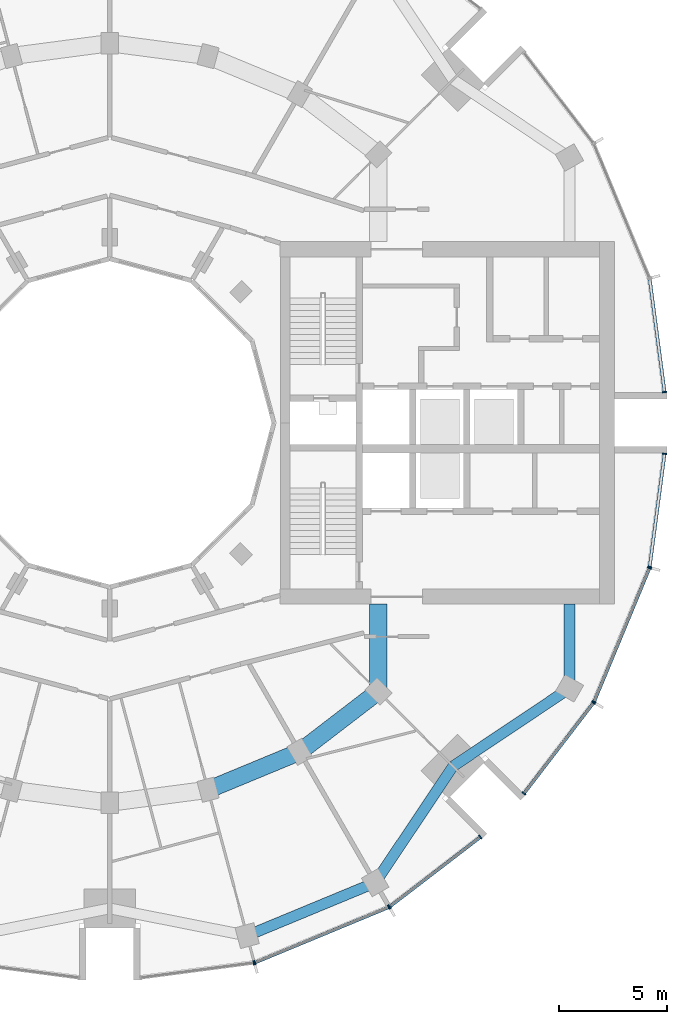
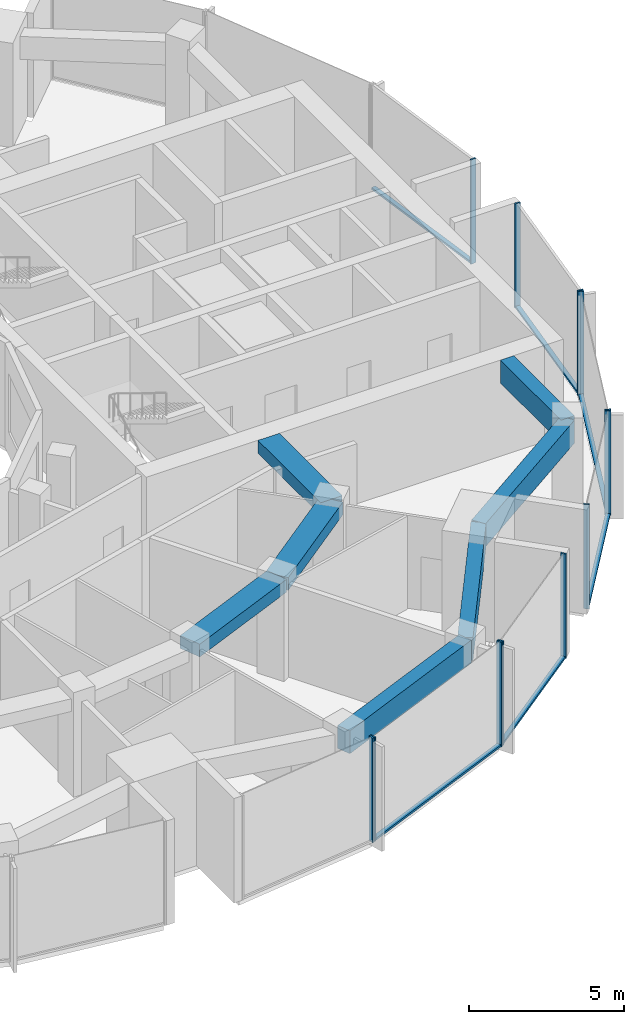
# One storey, part 4 of 15: 18 members, 7 beams, 7 elements without a shape of their own.
"""IFC4 building model written with IfcOpenShell, lengths in metres."""

from ifc_helpers import new_model, si_unit, direction, frame, origin, origin_2d, place, context, subcontext, project, spatial, rectangle, extrude, material, layer, layer_set, material_profile, profile_set, type_object, element, aggregate, save


model = new_model("IFC4")

# Units and contexts
model_context = context("Model", 3, precision=1e-05, world=origin(), true_north=direction((0.0, 1.0)))
body_context = subcontext(model_context, "Body", "Model", "MODEL_VIEW")
ifc_project = project(units=[si_unit("LENGTHUNIT", "METRE"), si_unit("AREAUNIT", "SQUARE_METRE"), si_unit("VOLUMEUNIT", "CUBIC_METRE"), si_unit("PLANEANGLEUNIT", "RADIAN"), si_unit("MASSUNIT", "GRAM", prefix="KILO")], contexts=[model_context])

# Site, building, storey
site_placement = place(None, origin())
site = spatial("IfcSite", under=ifc_project, at=site_placement, CompositionType="ELEMENT")
building_placement = place(site_placement, origin())
building = spatial("IfcBuilding", under=site, at=building_placement, Name="Torre Brocal", CompositionType="ELEMENT")
storey_placement = place(building_placement, frame((0.0, 0.0, 157.699951171875)))
storey = spatial("IfcBuildingStorey", under=building, at=storey_placement, Name="L36", CompositionType="ELEMENT", Elevation=157.699951171875)

# Curtain wall, member
ifc_material_1 = material(Name="Aluminium and glass", Category="aluminium")
ifc_layer_1 = layer(ifc_material_1, 0.199951171875)
ifc_layer_set_1 = layer_set([ifc_layer_1], Name="Aluminium and glass")
curtain_wall_type_1 = type_object("IfcCurtainWallType", Name="CW-1 CURTAIN WALL 4100 HIGH", PredefinedType="NOTDEFINED", material=ifc_layer_set_1)
curtain_wall_1_placement = place(storey_placement, origin())
curtain_wall_1 = element("IfcCurtainWall", 1, at=curtain_wall_1_placement, inside=storey, type_object=curtain_wall_type_1, Name="CW-1 RUN 19", PredefinedType="NOTDEFINED")
ifc_material_2 = material(Name="Aluminium, dark anodised", Category="aluminium")
ifc_material_profile_1 = material_profile(ifc_material_2, rectangle(XDim=0.199951171875, YDim=0.06005859375, at=origin_2d()), Name="CW-1 MULLION 60X200")
ifc_profile_set_1 = profile_set([ifc_material_profile_1], Name="Aluminium, dark anodised")
member_type_1 = type_object("IfcMemberType", Name="CW-1 MULLION 60X200", PredefinedType="MULLION", material=ifc_profile_set_1)
member_1_placement = place(storey_placement, frame((86.67333984375, 49.9794921875, 0.0), z_axis=(0.0, 0.0, 1.0), x_axis=(-0.13052619222, 0.991444861374, 0.0)))
member_1 = element("IfcMember", 2, at=member_1_placement, type_object=member_type_1, Name="CW1-4 mullion 2", PredefinedType="MULLION", context=body_context, shape_type="SweptSolid", body=[
    extrude(rectangle(XDim=0.199951171875, YDim=0.06005859375, at=origin_2d()), origin(), (0.0, 0.0, 1.0), 4.10009765625),
])
aggregate(curtain_wall_1, [member_1])

# Curtain wall, members
curtain_wall_2_placement = place(storey_placement, origin())
curtain_wall_2 = element("IfcCurtainWall", 3, at=curtain_wall_2_placement, inside=storey, type_object=curtain_wall_type_1, Name="CW-1 RUN 20", PredefinedType="NOTDEFINED")
member_2_placement = place(storey_placement, frame((86.73095703125, 49.994873046875, 0.0), z_axis=(0.0, 0.0, 1.0), x_axis=(-0.382683432333, 0.923879532525, 0.0)))
member_2 = element("IfcMember", 4, at=member_2_placement, type_object=member_type_1, Name="CW1-4 mullion 1", PredefinedType="MULLION", context=body_context, shape_type="SweptSolid", body=[
    extrude(rectangle(XDim=0.199951171875, YDim=0.06005859375, at=origin_2d()), origin(), (0.0, 0.0, 1.0), 4.10009765625),
])
member_3_placement = place(storey_placement, frame((92.921875, 52.559326171875, 0.0), z_axis=(0.0, 0.0, 1.0), x_axis=(-0.382683432333, 0.923879532525, 0.0)))
member_3 = element("IfcMember", 5, at=member_3_placement, type_object=member_type_1, Name="CW1-4 mullion 2", PredefinedType="MULLION", context=body_context, shape_type="SweptSolid", body=[
    extrude(rectangle(XDim=0.199951171875, YDim=0.06005859375, at=origin_2d()), origin(), (0.0, 0.0, 1.0), 4.10009765625),
])

curtain_wall_3_placement = place(storey_placement, origin())
curtain_wall_3 = element("IfcCurtainWall", 6, at=curtain_wall_3_placement, inside=storey, type_object=curtain_wall_type_1, Name="CW-1 RUN 21", PredefinedType="NOTDEFINED")
member_4_placement = place(storey_placement, frame((92.973388671875, 52.5888671875, 0.0), z_axis=(0.0, 0.0, 1.0), x_axis=(-0.60876142905, 0.793353340259, 0.0)))
member_4 = element("IfcMember", 7, at=member_4_placement, type_object=member_type_1, Name="CW1-4 mullion 1", PredefinedType="MULLION", context=body_context, shape_type="SweptSolid", body=[
    extrude(rectangle(XDim=0.199951171875, YDim=0.06005859375, at=origin_2d()), origin(), (0.0, 0.0, 1.0), 4.10009765625),
])
member_5_placement = place(storey_placement, frame((97.16943359375, 55.80859375, 0.0), z_axis=(0.0, 0.0, 1.0), x_axis=(-0.60876142905, 0.793353340259, 0.0)))
member_5 = element("IfcMember", 8, at=member_5_placement, type_object=member_type_1, Name="CW1-4 mullion 2", PredefinedType="MULLION", context=body_context, shape_type="SweptSolid", body=[
    extrude(rectangle(XDim=0.199951171875, YDim=0.06005859375, at=origin_2d()), origin(), (0.0, 0.0, 1.0), 4.10009765625),
])

curtain_wall_4_placement = place(storey_placement, origin())
curtain_wall_4 = element("IfcCurtainWall", 9, at=curtain_wall_4_placement, inside=storey, type_object=curtain_wall_type_1, Name="CW-1 RUN 22", PredefinedType="NOTDEFINED")
member_6_placement = place(storey_placement, frame((99.19140625, 57.83056640625, 0.0), z_axis=(0.0, 0.0, 1.0), x_axis=(-0.793353340259, 0.60876142905, 0.0)))
member_6 = element("IfcMember", 10, at=member_6_placement, type_object=member_type_1, Name="CW1-4 mullion 1", PredefinedType="MULLION", context=body_context, shape_type="SweptSolid", body=[
    extrude(rectangle(XDim=0.199951171875, YDim=0.06005859375, at=origin_2d()), origin(), (0.0, 0.0, 1.0), 4.10009765625),
])
member_7_placement = place(storey_placement, frame((102.4111328125, 62.026611328125, 0.0), z_axis=(0.0, 0.0, 1.0), x_axis=(-0.793353340259, 0.60876142905, 0.0)))
member_7 = element("IfcMember", 11, at=member_7_placement, type_object=member_type_1, Name="CW1-4 mullion 2", PredefinedType="MULLION", context=body_context, shape_type="SweptSolid", body=[
    extrude(rectangle(XDim=0.199951171875, YDim=0.06005859375, at=origin_2d()), origin(), (0.0, 0.0, 1.0), 4.10009765625),
])

curtain_wall_5_placement = place(storey_placement, origin())
curtain_wall_5 = element("IfcCurtainWall", 12, at=curtain_wall_5_placement, inside=storey, type_object=curtain_wall_type_1, Name="CW-1 RUN 23", PredefinedType="NOTDEFINED")
member_8_placement = place(storey_placement, frame((102.440673828125, 62.078125, 0.0), z_axis=(0.0, 0.0, 1.0), x_axis=(-0.923879532525, 0.382683432333, 0.0)))
member_8 = element("IfcMember", 13, at=member_8_placement, type_object=member_type_1, Name="CW1-4 mullion 1", PredefinedType="MULLION", context=body_context, shape_type="SweptSolid", body=[
    extrude(rectangle(XDim=0.199951171875, YDim=0.06005859375, at=origin_2d()), origin(), (0.0, 0.0, 1.0), 4.10009765625),
])
member_9_placement = place(storey_placement, frame((105.005126953125, 68.26904296875, 0.0), z_axis=(0.0, 0.0, 1.0), x_axis=(-0.923879532525, 0.382683432333, 0.0)))
member_9 = element("IfcMember", 14, at=member_9_placement, type_object=member_type_1, Name="CW1-4 mullion 2", PredefinedType="MULLION", context=body_context, shape_type="SweptSolid", body=[
    extrude(rectangle(XDim=0.199951171875, YDim=0.06005859375, at=origin_2d()), origin(), (0.0, 0.0, 1.0), 4.10009765625),
])

# Member
ifc_material_3 = material(Name="Aluminium, dark anodised", Category="aluminium")
ifc_material_profile_2 = material_profile(ifc_material_3, rectangle(XDim=0.159912109375, YDim=0.080078125, at=origin_2d()), Name="CW-1 TRANSOM 160X80")
ifc_profile_set_2 = profile_set([ifc_material_profile_2], Name="Aluminium, dark anodised")
member_type_2 = type_object("IfcMemberType", Name="CW-1 TRANSOM 160X80", PredefinedType="USERDEFINED", material=ifc_profile_set_2)
member_10_placement = place(storey_placement, frame((86.758544921875, 50.00634765625, 0.0400390625), z_axis=(0.923887344364, 0.38266457234, 0.0), x_axis=(-0.38266457234, 0.923887344364, 0.0)))
member_10 = element("IfcMember", 15, at=member_10_placement, type_object=member_type_2, Name="CW1-4 transom 1.1", ObjectType="TRANSOM", PredefinedType="USERDEFINED", context=body_context, shape_type="SweptSolid", body=[
    extrude(rectangle(XDim=0.159912109375, YDim=0.080078125, at=origin_2d()), origin(), (0.0, 0.0, 1.0), 6.640869140625),
])

aggregate(curtain_wall_2, [member_2, member_3, member_10])

member_11_placement = place(storey_placement, frame((92.9970703125, 52.607177734375, 0.0400390625), z_axis=(0.79336281513, 0.60874908096, 0.0), x_axis=(-0.60874908096, 0.79336281513, 0.0)))
member_11 = element("IfcMember", 16, at=member_11_placement, type_object=member_type_2, Name="CW1-4 transom 1.1", ObjectType="TRANSOM", PredefinedType="USERDEFINED", context=body_context, shape_type="SweptSolid", body=[
    extrude(rectangle(XDim=0.159912109375, YDim=0.080078125, at=origin_2d()), origin(), (0.0, 0.0, 1.0), 5.22900390625),
])

aggregate(curtain_wall_3, [member_4, member_5, member_11])

member_12_placement = place(storey_placement, frame((99.209716796875, 57.8544921875, 0.0400390625), z_axis=(0.60874908096, 0.79336281513, 0.0), x_axis=(-0.79336281513, 0.60874908096, 0.0)))
member_12 = element("IfcMember", 17, at=member_12_placement, type_object=member_type_2, Name="CW1-4 transom 1.1", ObjectType="TRANSOM", PredefinedType="USERDEFINED", context=body_context, shape_type="SweptSolid", body=[
    extrude(rectangle(XDim=0.159912109375, YDim=0.080078125, at=origin_2d()), origin(), (0.0, 0.0, 1.0), 5.22900390625),
])

aggregate(curtain_wall_4, [member_6, member_7, member_12])

member_13_placement = place(storey_placement, frame((102.452392578125, 62.10595703125, 0.0400390625), z_axis=(0.38266457234, 0.923887344364, 0.0), x_axis=(-0.923887344364, 0.38266457234, 0.0)))
member_13 = element("IfcMember", 18, at=member_13_placement, type_object=member_type_2, Name="CW1-4 transom 1.1", ObjectType="TRANSOM", PredefinedType="USERDEFINED", context=body_context, shape_type="SweptSolid", body=[
    extrude(rectangle(XDim=0.159912109375, YDim=0.080078125, at=origin_2d()), origin(), (0.0, 0.0, 1.0), 6.640869140625),
])

aggregate(curtain_wall_5, [member_8, member_9, member_13])

# Curtain wall, member
ifc_material_4 = material(Name="Aluminium and glass", Category="aluminium")
ifc_layer_2 = layer(ifc_material_4, 0.199951171875)
ifc_layer_set_2 = layer_set([ifc_layer_2], Name="Aluminium and glass")
curtain_wall_type_2 = type_object("IfcCurtainWallType", Name="CW-1B CURTAIN WALL 4100 HIGH", PredefinedType="NOTDEFINED", material=ifc_layer_set_2)
curtain_wall_6_placement = place(storey_placement, origin())
curtain_wall_6 = element("IfcCurtainWall", 19, at=curtain_wall_6_placement, inside=storey, type_object=curtain_wall_type_2, Name="CW-1B RUN 1", PredefinedType="NOTDEFINED")
ifc_material_5 = material(Name="Aluminium, dark anodised", Category="aluminium")
ifc_material_profile_3 = material_profile(ifc_material_5, rectangle(XDim=0.199951171875, YDim=0.06005859375, at=origin_2d()), Name="CW-1B MULLION 60X200")
ifc_profile_set_3 = profile_set([ifc_material_profile_3], Name="Aluminium, dark anodised")
member_type_3 = type_object("IfcMemberType", Name="CW-1B MULLION 60X200", PredefinedType="MULLION", material=ifc_profile_set_3)
member_14_placement = place(storey_placement, frame((105.7109375, 76.4296875, 0.0), z_axis=(0.0, 0.0, 1.0), x_axis=(-0.991444861374, -0.13052619222, 0.0)))
member_14 = element("IfcMember", 20, at=member_14_placement, type_object=member_type_3, Name="CW1B-4 mullion 1", PredefinedType="MULLION", context=body_context, shape_type="SweptSolid", body=[
    extrude(rectangle(XDim=0.199951171875, YDim=0.06005859375, at=origin_2d()), origin(), (0.0, 0.0, 1.0), 4.10009765625),
])

# Curtain wall, members
curtain_wall_7_placement = place(storey_placement, origin())
curtain_wall_7 = element("IfcCurtainWall", 21, at=curtain_wall_7_placement, inside=storey, type_object=curtain_wall_type_2, Name="CW-1B RUN 24", PredefinedType="NOTDEFINED")
member_15_placement = place(storey_placement, frame((105.0205078125, 68.32666015625, 0.0), z_axis=(0.0, 0.0, 1.0), x_axis=(-0.991444861374, 0.13052619222, 0.0)))
member_15 = element("IfcMember", 22, at=member_15_placement, type_object=member_type_3, Name="CW1B-4 mullion 1", PredefinedType="MULLION", context=body_context, shape_type="SweptSolid", body=[
    extrude(rectangle(XDim=0.199951171875, YDim=0.06005859375, at=origin_2d()), origin(), (0.0, 0.0, 1.0), 4.10009765625),
])
member_16_placement = place(storey_placement, frame((105.7109375, 73.5703125, 0.0), z_axis=(0.0, 0.0, 1.0), x_axis=(-0.991444861374, 0.13052619222, 0.0)))
member_16 = element("IfcMember", 23, at=member_16_placement, type_object=member_type_3, Name="CW1B-4 mullion 2", PredefinedType="MULLION", context=body_context, shape_type="SweptSolid", body=[
    extrude(rectangle(XDim=0.199951171875, YDim=0.06005859375, at=origin_2d()), origin(), (0.0, 0.0, 1.0), 4.10009765625),
])

# Member
ifc_material_6 = material(Name="Aluminium, dark anodised", Category="aluminium")
ifc_material_profile_4 = material_profile(ifc_material_6, rectangle(XDim=0.159912109375, YDim=0.080078125, at=origin_2d()), Name="CW-1B TRANSOM 160X80")
ifc_profile_set_4 = profile_set([ifc_material_profile_4], Name="Aluminium, dark anodised")
member_type_4 = type_object("IfcMemberType", Name="CW-1B TRANSOM 160X80", PredefinedType="USERDEFINED", material=ifc_profile_set_4)
member_17_placement = place(storey_placement, frame((105.70703125, 76.45947265625, 0.0400390625), z_axis=(-0.130542677827, 0.991442690863, 0.0), x_axis=(-0.991442690863, -0.130542677827, 0.0)))
member_17 = element("IfcMember", 24, at=member_17_placement, type_object=member_type_4, Name="CW1B-4 transom 1.1", ObjectType="TRANSOM", PredefinedType="USERDEFINED", context=body_context, shape_type="SweptSolid", body=[
    extrude(rectangle(XDim=0.159912109375, YDim=0.080078125, at=origin_2d()), origin(), (0.0, 0.0, 1.0), 5.22900390625),
])

aggregate(curtain_wall_6, [member_14, member_17])

member_18_placement = place(storey_placement, frame((105.0244140625, 68.356201171875, 0.0400390625), z_axis=(0.130542677827, 0.991442690863, 0.0), x_axis=(-0.991442690863, 0.130542677827, 0.0)))
member_18 = element("IfcMember", 25, at=member_18_placement, type_object=member_type_4, Name="CW1B-4 transom 1.1", ObjectType="TRANSOM", PredefinedType="USERDEFINED", context=body_context, shape_type="SweptSolid", body=[
    extrude(rectangle(XDim=0.159912109375, YDim=0.080078125, at=origin_2d()), origin(), (0.0, 0.0, 1.0), 5.22900390625),
])

aggregate(curtain_wall_7, [member_15, member_16, member_18])

# Beams
ifc_material_7 = material(Name="Concrete C50", Category="concrete")
ifc_material_profile_5 = material_profile(ifc_material_7, rectangle(XDim=0.800048828125, YDim=0.5, at=origin_2d()), Name="RC 800X500")
ifc_profile_set_5 = profile_set([ifc_material_profile_5], Name="Concrete C50")
beam_type_1 = type_object("IfcBeamType", Name="RC BEAM 800X500 C50 TOP 3780", PredefinedType="BEAM", material=ifc_profile_set_5)
beam_1_placement = place(storey_placement, frame((84.55517578125, 57.999755859375, 3.530029296875), z_axis=(0.923878240166, 0.382686552348, 0.0), x_axis=(-0.382686552348, 0.923878240166, 0.0)))
element("IfcBeam", 26, at=beam_1_placement, inside=storey, type_object=beam_type_1, Name="Beam BT-32", PredefinedType="BEAM", context=body_context, shape_type="SweptSolid", body=[
    extrude(rectangle(XDim=0.800048828125, YDim=0.5, at=origin_2d()), origin(), (0.0, 0.0, 1.0), 4.5947265625),
])
beam_2_placement = place(storey_placement, frame((88.800048828125, 59.758056640625, 3.530029296875), z_axis=(0.793358265959, 0.6087550097, 0.0), x_axis=(-0.6087550097, 0.793358265959, 0.0)))
element("IfcBeam", 27, at=beam_2_placement, inside=storey, type_object=beam_type_1, Name="Beam BT-32", PredefinedType="BEAM", context=body_context, shape_type="SweptSolid", body=[
    extrude(rectangle(XDim=0.800048828125, YDim=0.5, at=origin_2d()), origin(), (0.0, 0.0, 1.0), 4.594482421875),
])
beam_3_placement = place(storey_placement, frame((92.445068359375, 62.554931640625, 3.530029296875), z_axis=(0.0, 1.0, 0.0), x_axis=(-1.0, 0.0, 0.0)))
element("IfcBeam", 28, at=beam_3_placement, inside=storey, type_object=beam_type_1, Name="Beam BT-32", PredefinedType="BEAM", context=body_context, shape_type="SweptSolid", body=[
    extrude(rectangle(XDim=0.800048828125, YDim=0.5, at=origin_2d()), origin(), (0.0, 0.0, 1.0), 4.045166015625),
])
ifc_material_8 = material(Name="Concrete C50", Category="concrete")
ifc_material_profile_6 = material_profile(ifc_material_8, rectangle(XDim=0.5, YDim=0.89990234375, at=origin_2d()), Name="RC 500X900")
ifc_profile_set_6 = profile_set([ifc_material_profile_6], Name="Concrete C50")
beam_type_2 = type_object("IfcBeamType", Name="RC SPANDREL BEAM 500X900 C50 TOP 3780", PredefinedType="SPANDREL", material=ifc_profile_set_6)
beam_4_placement = place(storey_placement, frame((86.366943359375, 51.23828125, 3.330078125), z_axis=(0.923882462513, 0.382676358639, 0.0), x_axis=(-0.382676358639, 0.923882462513, 0.0)))
element("IfcBeam", 29, at=beam_4_placement, inside=storey, type_object=beam_type_2, Name="Beam BT-33", PredefinedType="SPANDREL", context=body_context, shape_type="SweptSolid", body=[
    extrude(rectangle(XDim=0.5, YDim=0.89990234375, at=origin_2d()), origin(), (0.0, 0.0, 1.0), 6.421875),
])
for number, where, z_axis, x_axis, name in (
    (30, (92.300048828125, 53.69580078125, 3.330078125), (0.556157602282, 0.831076844476, 0.0), (-0.831076844476, 0.556157602282, 0.0), "Beam BT-33"),
    (31, (95.909912109375, 59.090087890625, 3.330078125), (0.831076844476, 0.556157602282, 0.0), (-0.556157602282, 0.831076844476, 0.0), "Beam BT-33"),
):
    element("IfcBeam", number, at=place(storey_placement, frame(where, z_axis=z_axis, x_axis=x_axis)), inside=storey, type_object=beam_type_2, Name=name, PredefinedType="SPANDREL", context=body_context, shape_type="SweptSolid", body=[
        extrude(rectangle(XDim=0.5, YDim=0.89990234375, at=origin_2d()), origin(), (0.0, 0.0, 1.0), 6.49072265625),
    ])
beam_5_placement = place(storey_placement, frame((101.30419921875, 62.699951171875, 3.330078125), z_axis=(0.0, 1.0, 0.0), x_axis=(-1.0, 0.0, 0.0)))
element("IfcBeam", 32, at=beam_5_placement, inside=storey, type_object=beam_type_2, Name="Beam BT-33", PredefinedType="SPANDREL", context=body_context, shape_type="SweptSolid", body=[
    extrude(rectangle(XDim=0.5, YDim=0.89990234375, at=origin_2d()), origin(), (0.0, 0.0, 1.0), 3.900146484375),
])

save(model, "model.ifc")
